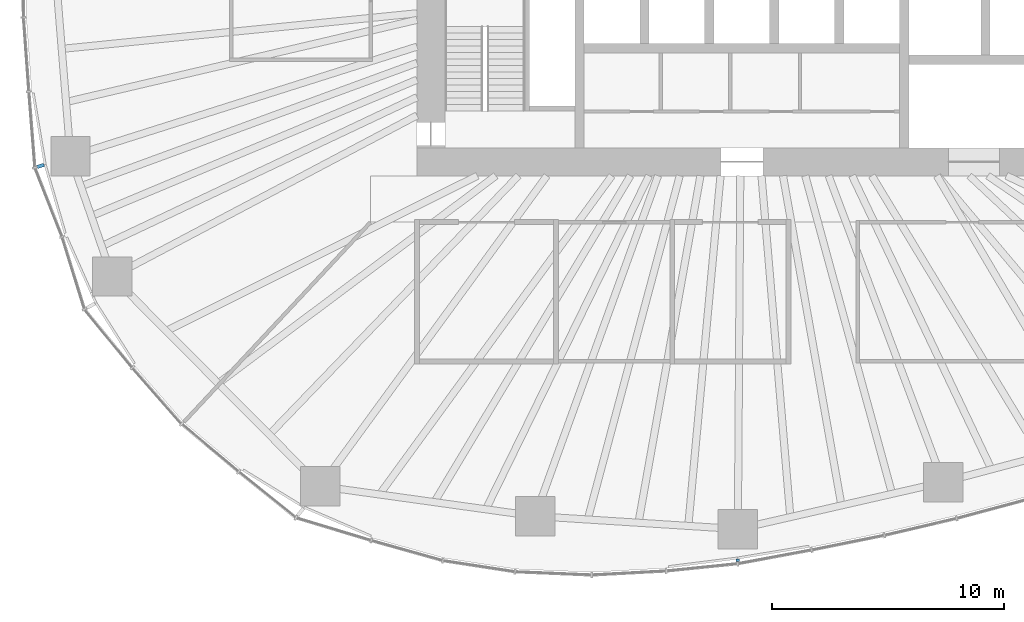
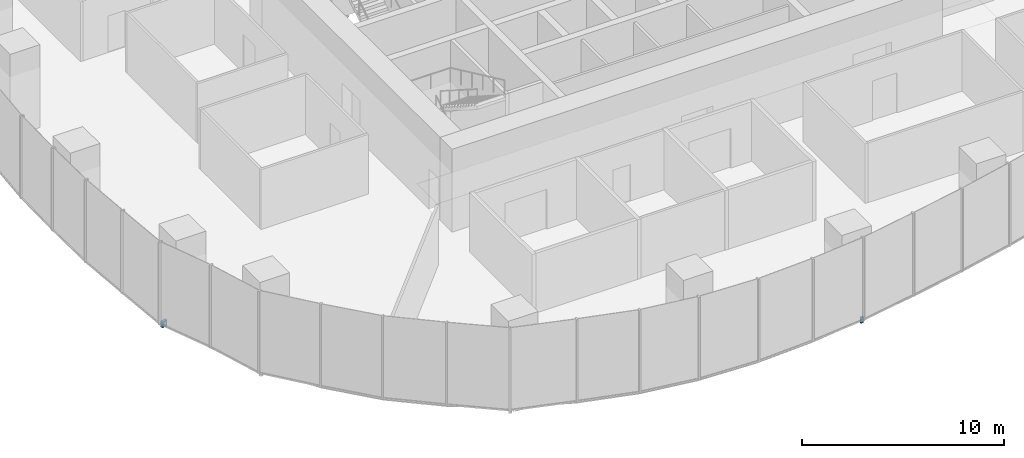
# One storey, part 13 of 19: 2 discrete accessories.
"""IFC4 building model written with IfcOpenShell, lengths in metres."""

from ifc_helpers import new_model, si_unit, direction, frame, origin, origin_2d, place, context, subcontext, project, spatial, rectangle, extrude, material, type_object, element, save


model = new_model("IFC4")

# Units and contexts
model_context = context("Model", 3, precision=1e-05, world=origin(), true_north=direction((0.0, 1.0)))
body_context = subcontext(model_context, "Body", "Model", "MODEL_VIEW")
ifc_project = project(units=[si_unit("LENGTHUNIT", "METRE"), si_unit("AREAUNIT", "SQUARE_METRE"), si_unit("VOLUMEUNIT", "CUBIC_METRE"), si_unit("PLANEANGLEUNIT", "RADIAN"), si_unit("MASSUNIT", "GRAM", prefix="KILO")], contexts=[model_context])

# Site, building, storey
site_placement = place(None, origin())
site = spatial("IfcSite", under=ifc_project, at=site_placement, CompositionType="ELEMENT")
building_placement = place(site_placement, origin())
building = spatial("IfcBuilding", under=site, at=building_placement, Name="Ghaith Harvest Tower", CompositionType="ELEMENT")
storey_placement = place(building_placement, frame((0.0, 0.0, 70.0)))
storey = spatial("IfcBuildingStorey", under=building, at=storey_placement, Name="L14", CompositionType="ELEMENT", Elevation=70.0)

# Discrete accessories
ifc_material_1 = material(Name="Stainless steel grade 1.4401", Category="steel")
discrete_accessory_type_1 = type_object("IfcDiscreteAccessoryType", Name="CURTAIN WALL BRACKET 315", PredefinedType="BRACKET", material=ifc_material_1)
discrete_accessory_1_placement = place(storey_placement, frame((-30.219482421875, -9.5771484375, -0.25), z_axis=(0.0, 0.0, 1.0), x_axis=(-0.953273219416, -0.302109531701, 0.0)))
element("IfcDiscreteAccessory", 1, at=discrete_accessory_1_placement, inside=storey, type_object=discrete_accessory_type_1, Name="CW-F bracket 1 bay 12 L14", PredefinedType="BRACKET", context=body_context, shape_type="SweptSolid", body=[
    extrude(rectangle(XDim=0.31494140625, YDim=0.14990234375, at=origin_2d()), origin(), (0.0, 0.0, 1.0), 0.35009765625),
])
ifc_material_2 = material(Name="Stainless steel grade 1.4401", Category="steel")
discrete_accessory_type_2 = type_object("IfcDiscreteAccessoryType", Name="CURTAIN WALL BRACKET 95", PredefinedType="BRACKET", material=ifc_material_2)
discrete_accessory_2_placement = place(storey_placement, frame((-0.181884765625, -26.569580078125, -0.25), z_axis=(0.0, 0.0, 1.0), x_axis=(-0.006843747957, -0.999976581283, 0.0)))
element("IfcDiscreteAccessory", 2, at=discrete_accessory_2_placement, inside=storey, type_object=discrete_accessory_type_2, Name="CW-F bracket 1 bay 16 L14", PredefinedType="BRACKET", context=body_context, shape_type="SweptSolid", body=[
    extrude(rectangle(XDim=0.094970703125, YDim=0.14990234375, at=origin_2d()), origin(), (0.0, 0.0, 1.0), 0.35009765625),
])

save(model, "model.ifc")
